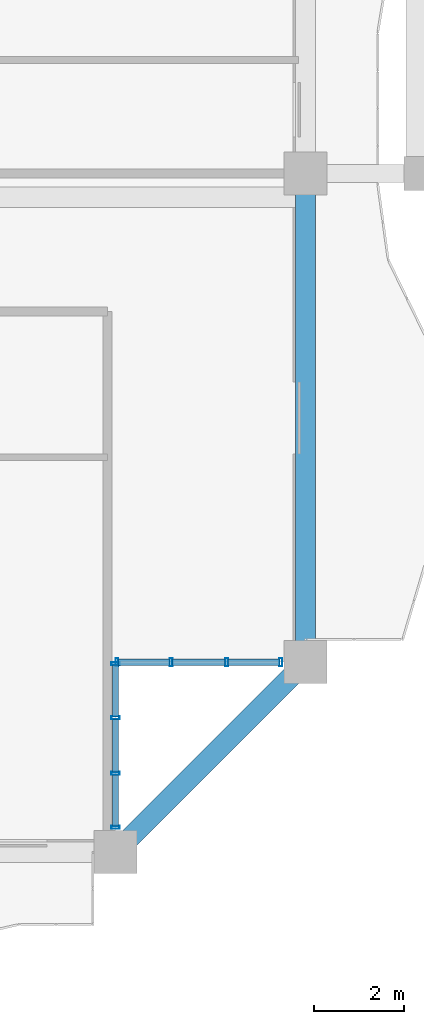
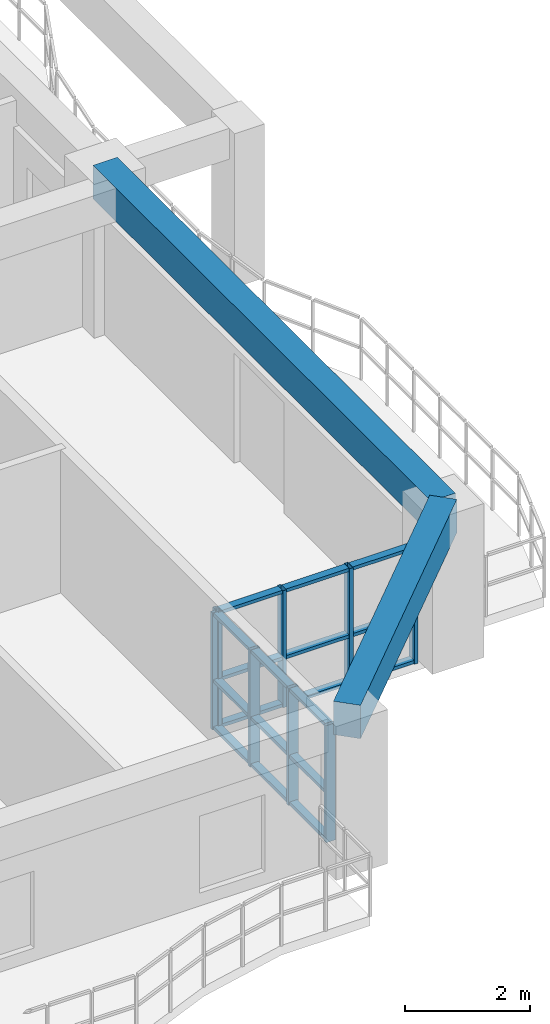
# One storey, part 4 of 26: 26 members, 2 beams, 2 elements without a shape of their own.
"""IFC4 building model written with IfcOpenShell, lengths in metres."""

from ifc_helpers import new_model, si_unit, direction, frame, origin, origin_2d, place, context, subcontext, project, spatial, rectangle, hollow_rectangle, extrude, source, transform, mapped, material, layer, layer_set, material_profile, profile_set, type_object, element, aggregate, save


model = new_model("IFC4")

# Units and contexts
model_context = context("Model", 3, precision=1e-05, world=origin(), true_north=direction((0.0, 1.0)))
body_context = subcontext(model_context, "Body", "Model", "MODEL_VIEW")
ifc_project = project(units=[si_unit("LENGTHUNIT", "METRE"), si_unit("AREAUNIT", "SQUARE_METRE"), si_unit("VOLUMEUNIT", "CUBIC_METRE"), si_unit("PLANEANGLEUNIT", "RADIAN"), si_unit("MASSUNIT", "GRAM", prefix="KILO")], contexts=[model_context])

# Site, building, storey
site_placement = place(None, origin())
site = spatial("IfcSite", under=ifc_project, at=site_placement, CompositionType="ELEMENT")
building_placement = place(site_placement, origin())
building = spatial("IfcBuilding", under=site, at=building_placement, Name="Saelheon Loggia Tower", CompositionType="ELEMENT")
storey_placement = place(building_placement, frame((0.0, 0.0, 89.85009765625)))
storey = spatial("IfcBuildingStorey", under=building, at=storey_placement, Name="L28", CompositionType="ELEMENT", Elevation=89.85009765625)

# Beams
ifc_material_1 = material(Name="Concrete C40/50", Category="concrete")
ifc_material_profile_1 = material_profile(ifc_material_1, rectangle(XDim=0.449951171875, YDim=0.64990234375, at=origin_2d()), Name="RC-450x650")
ifc_profile_set_1 = profile_set([ifc_material_profile_1], Name="Concrete C40/50")
beam_type = type_object("IfcBeamType", Name="Beam_PerimTower_RC450x650", PredefinedType="BEAM", material=ifc_profile_set_1)
shared_shape_1 = source(origin(), body_context, "Body", "SweptSolid", [
    extrude(rectangle(XDim=0.449951171875, YDim=0.64990234375, at=origin_2d()), origin(), (0.0, 0.0, 1.0), 5.939697265625),
])
beam_1_placement = place(storey_placement, frame((59.800048828125, 3.0, 2.6748046875), z_axis=(0.707106781187, 0.707106781187, 0.0), x_axis=(-0.707106781187, 0.707106781187, 0.0)))
element("IfcBeam", 1, at=beam_1_placement, inside=storey, type_object=beam_type, Name="L28 Perimeter Frame Girder 04", PredefinedType="BEAM", context=body_context, shape_type="MappedRepresentation", body=[
    mapped(shared_shape_1, transform((0.0, 0.0, 0.0), scale=1.0)),
])
shared_shape_2 = source(origin(), body_context, "Body", "SweptSolid", [
    extrude(rectangle(XDim=0.449951171875, YDim=0.64990234375, at=origin_2d()), origin(), (0.0, 0.0, 1.0), 10.800048828125),
])
beam_2_placement = place(storey_placement, frame((64.0, 7.199951171875, 2.6748046875), z_axis=(0.0, 1.0, 0.0), x_axis=(-1.0, 0.0, 0.0)))
element("IfcBeam", 2, at=beam_2_placement, inside=storey, type_object=beam_type, Name="L28 Perimeter Frame Girder 05", PredefinedType="BEAM", context=body_context, shape_type="MappedRepresentation", body=[
    mapped(shared_shape_2, transform((0.0, 0.0, 0.0), scale=1.0)),
])

# Curtain wall, members
ifc_material_2 = material(Name="Thermal-Break Aluminium and Triple Low-E Glass", Category="aluminium")
ifc_layer = layer(ifc_material_2, 0.159912109375)
ifc_layer_set = layer_set([ifc_layer], Name="Thermal-Break Aluminium and Triple Low-E Glass")
curtain_wall_type = type_object("IfcCurtainWallType", Name="CW_TowerLoggiaLow", PredefinedType="NOTDEFINED", material=ifc_layer_set)
curtain_wall_1_placement = place(storey_placement, origin())
curtain_wall_1 = element("IfcCurtainWall", 3, at=curtain_wall_1_placement, inside=storey, type_object=curtain_wall_type, Name="L28 Corner Notch Glazing SE1", PredefinedType="NOTDEFINED")
ifc_material_3 = material(Name="Anodised Aluminium 6063-T6", Category="aluminium")
ifc_material_profile_2 = material_profile(ifc_material_3, hollow_rectangle(XDim=0.06494140625, YDim=0.179931640625, WallThickness=0.00390625, at=origin_2d()), Name="RHS-180x65x4")
ifc_profile_set_2 = profile_set([ifc_material_profile_2], Name="Anodised Aluminium 6063-T6")
member_type_1 = type_object("IfcMemberType", Name="CW_TowerLoggiaLow_Mullion", PredefinedType="MULLION", material=ifc_profile_set_2)
shared_shape_3 = source(origin(), body_context, "Body", "SweptSolid", [
    extrude(hollow_rectangle(XDim=0.06494140625, YDim=0.179931640625, WallThickness=0.00390625, at=origin_2d()), origin(), (0.0, 0.0, 1.0), 2.27978515625),
])
member_1_placement = place(storey_placement, frame((59.800048828125, 3.547607421875, 0.0), z_axis=(0.0, 0.0, 1.0), x_axis=(0.0, 1.0, 0.0)))
member_1 = element("IfcMember", 4, at=member_1_placement, type_object=member_type_1, Name="CW3 mullion 1", PredefinedType="MULLION", context=body_context, shape_type="MappedRepresentation", body=[
    mapped(shared_shape_3, transform((0.0, 0.0, 0.0), scale=1.0)),
])
member_2_placement = place(storey_placement, frame((59.800048828125, 4.743408203125, 0.0), z_axis=(0.0, 0.0, 1.0), x_axis=(0.0, 1.0, 0.0)))
member_2 = element("IfcMember", 5, at=member_2_placement, type_object=member_type_1, Name="CW3 mullion 2", PredefinedType="MULLION", context=body_context, shape_type="MappedRepresentation", body=[
    mapped(shared_shape_3, transform((0.0, 0.0, 0.0), scale=1.0)),
])
member_3_placement = place(storey_placement, frame((59.800048828125, 5.9716796875, 0.0), z_axis=(0.0, 0.0, 1.0), x_axis=(0.0, 1.0, 0.0)))
member_3 = element("IfcMember", 6, at=member_3_placement, type_object=member_type_1, Name="CW3 mullion 3", PredefinedType="MULLION", context=body_context, shape_type="MappedRepresentation", body=[
    mapped(shared_shape_3, transform((0.0, 0.0, 0.0), scale=1.0)),
])
member_4_placement = place(storey_placement, frame((59.800048828125, 7.16748046875, 0.0), z_axis=(0.0, 0.0, 1.0), x_axis=(0.0, 1.0, 0.0)))
member_4 = element("IfcMember", 7, at=member_4_placement, type_object=member_type_1, Name="CW3 mullion 4", PredefinedType="MULLION", context=body_context, shape_type="MappedRepresentation", body=[
    mapped(shared_shape_3, transform((0.0, 0.0, 0.0), scale=1.0)),
])

curtain_wall_2_placement = place(storey_placement, origin())
curtain_wall_2 = element("IfcCurtainWall", 8, at=curtain_wall_2_placement, inside=storey, type_object=curtain_wall_type, Name="L28 Corner Notch Glazing SE2", PredefinedType="NOTDEFINED")
member_5_placement = place(storey_placement, frame((59.83251953125, 7.199951171875, 0.0), z_axis=(0.0, 0.0, 1.0), x_axis=(1.0, 0.0, 0.0)))
member_5 = element("IfcMember", 9, at=member_5_placement, type_object=member_type_1, Name="CW3 mullion 1", PredefinedType="MULLION", context=body_context, shape_type="MappedRepresentation", body=[
    mapped(shared_shape_3, transform((0.0, 0.0, 0.0), scale=1.0)),
])
member_6_placement = place(storey_placement, frame((61.0283203125, 7.199951171875, 0.0), z_axis=(0.0, 0.0, 1.0), x_axis=(1.0, 0.0, 0.0)))
member_6 = element("IfcMember", 10, at=member_6_placement, type_object=member_type_1, Name="CW3 mullion 2", PredefinedType="MULLION", context=body_context, shape_type="MappedRepresentation", body=[
    mapped(shared_shape_3, transform((0.0, 0.0, 0.0), scale=1.0)),
])
member_7_placement = place(storey_placement, frame((62.256591796875, 7.199951171875, 0.0), z_axis=(0.0, 0.0, 1.0), x_axis=(1.0, 0.0, 0.0)))
member_7 = element("IfcMember", 11, at=member_7_placement, type_object=member_type_1, Name="CW3 mullion 3", PredefinedType="MULLION", context=body_context, shape_type="MappedRepresentation", body=[
    mapped(shared_shape_3, transform((0.0, 0.0, 0.0), scale=1.0)),
])
member_8_placement = place(storey_placement, frame((63.452392578125, 7.199951171875, 0.0), z_axis=(0.0, 0.0, 1.0), x_axis=(1.0, 0.0, 0.0)))
member_8 = element("IfcMember", 12, at=member_8_placement, type_object=member_type_1, Name="CW3 mullion 4", PredefinedType="MULLION", context=body_context, shape_type="MappedRepresentation", body=[
    mapped(shared_shape_3, transform((0.0, 0.0, 0.0), scale=1.0)),
])

# Member
ifc_material_profile_3 = material_profile(ifc_material_3, hollow_rectangle(XDim=0.06494140625, YDim=0.139892578125, WallThickness=0.00390625, at=origin_2d()), Name="RHS-140x65x4")
ifc_profile_set_3 = profile_set([ifc_material_profile_3], Name="Anodised Aluminium 6063-T6")
member_type_2 = type_object("IfcMemberType", Name="CW_TowerLoggiaLow_Transom", PredefinedType="USERDEFINED", material=ifc_profile_set_3)
shared_shape_4 = source(origin(), body_context, "Body", "SweptSolid", [
    extrude(hollow_rectangle(XDim=0.06494140625, YDim=0.139892578125, WallThickness=0.00390625, at=origin_2d()), origin(), (0.0, 0.0, 1.0), 1.130859375),
])
member_9_placement = place(storey_placement, frame((59.800048828125, 3.580078125, 0.032470703125), z_axis=(0.0, 1.0, 0.0), x_axis=(0.0, 0.0, 1.0)))
member_9 = element("IfcMember", 13, at=member_9_placement, type_object=member_type_2, Name="CW3 transom 1.1", ObjectType="TRANSOM", PredefinedType="USERDEFINED", context=body_context, shape_type="MappedRepresentation", body=[
    mapped(shared_shape_4, transform((0.0, 0.0, 0.0), scale=1.0)),
])

member_10_placement = place(storey_placement, frame((59.800048828125, 3.580078125, 0.949951171875), z_axis=(0.0, 1.0, 0.0), x_axis=(0.0, 0.0, 1.0)))
member_10 = element("IfcMember", 14, at=member_10_placement, type_object=member_type_2, Name="CW3 transom 1.2", ObjectType="TRANSOM", PredefinedType="USERDEFINED", context=body_context, shape_type="MappedRepresentation", body=[
    mapped(shared_shape_4, transform((0.0, 0.0, 0.0), scale=1.0)),
])

member_11_placement = place(storey_placement, frame((59.800048828125, 3.580078125, 2.247314453125), z_axis=(0.0, 1.0, 0.0), x_axis=(0.0, 0.0, 1.0)))
member_11 = element("IfcMember", 15, at=member_11_placement, type_object=member_type_2, Name="CW3 transom 1.3", ObjectType="TRANSOM", PredefinedType="USERDEFINED", context=body_context, shape_type="MappedRepresentation", body=[
    mapped(shared_shape_4, transform((0.0, 0.0, 0.0), scale=1.0)),
])

member_12_placement = place(storey_placement, frame((59.800048828125, 6.004150390625, 0.032470703125), z_axis=(0.0, 1.0, 0.0), x_axis=(0.0, 0.0, 1.0)))
member_12 = element("IfcMember", 16, at=member_12_placement, type_object=member_type_2, Name="CW3 transom 3.1", ObjectType="TRANSOM", PredefinedType="USERDEFINED", context=body_context, shape_type="MappedRepresentation", body=[
    mapped(shared_shape_4, transform((0.0, 0.0, 0.0), scale=1.0)),
])

member_13_placement = place(storey_placement, frame((59.800048828125, 6.004150390625, 0.949951171875), z_axis=(0.0, 1.0, 0.0), x_axis=(0.0, 0.0, 1.0)))
member_13 = element("IfcMember", 17, at=member_13_placement, type_object=member_type_2, Name="CW3 transom 3.2", ObjectType="TRANSOM", PredefinedType="USERDEFINED", context=body_context, shape_type="MappedRepresentation", body=[
    mapped(shared_shape_4, transform((0.0, 0.0, 0.0), scale=1.0)),
])

member_14_placement = place(storey_placement, frame((59.800048828125, 6.004150390625, 2.247314453125), z_axis=(0.0, 1.0, 0.0), x_axis=(0.0, 0.0, 1.0)))
member_14 = element("IfcMember", 18, at=member_14_placement, type_object=member_type_2, Name="CW3 transom 3.3", ObjectType="TRANSOM", PredefinedType="USERDEFINED", context=body_context, shape_type="MappedRepresentation", body=[
    mapped(shared_shape_4, transform((0.0, 0.0, 0.0), scale=1.0)),
])

member_15_placement = place(storey_placement, frame((59.864990234375, 7.199951171875, 0.032470703125), z_axis=(1.0, 0.0, 0.0), x_axis=(0.0, 0.0, 1.0)))
member_15 = element("IfcMember", 19, at=member_15_placement, type_object=member_type_2, Name="CW3 transom 1.1", ObjectType="TRANSOM", PredefinedType="USERDEFINED", context=body_context, shape_type="MappedRepresentation", body=[
    mapped(shared_shape_4, transform((0.0, 0.0, 0.0), scale=1.0)),
])

member_16_placement = place(storey_placement, frame((59.864990234375, 7.199951171875, 0.949951171875), z_axis=(1.0, 0.0, 0.0), x_axis=(0.0, 0.0, 1.0)))
member_16 = element("IfcMember", 20, at=member_16_placement, type_object=member_type_2, Name="CW3 transom 1.2", ObjectType="TRANSOM", PredefinedType="USERDEFINED", context=body_context, shape_type="MappedRepresentation", body=[
    mapped(shared_shape_4, transform((0.0, 0.0, 0.0), scale=1.0)),
])

member_17_placement = place(storey_placement, frame((59.864990234375, 7.199951171875, 2.247314453125), z_axis=(1.0, 0.0, 0.0), x_axis=(0.0, 0.0, 1.0)))
member_17 = element("IfcMember", 21, at=member_17_placement, type_object=member_type_2, Name="CW3 transom 1.3", ObjectType="TRANSOM", PredefinedType="USERDEFINED", context=body_context, shape_type="MappedRepresentation", body=[
    mapped(shared_shape_4, transform((0.0, 0.0, 0.0), scale=1.0)),
])

member_18_placement = place(storey_placement, frame((62.2890625, 7.199951171875, 0.032470703125), z_axis=(1.0, 0.0, 0.0), x_axis=(0.0, 0.0, 1.0)))
member_18 = element("IfcMember", 22, at=member_18_placement, type_object=member_type_2, Name="CW3 transom 3.1", ObjectType="TRANSOM", PredefinedType="USERDEFINED", context=body_context, shape_type="MappedRepresentation", body=[
    mapped(shared_shape_4, transform((0.0, 0.0, 0.0), scale=1.0)),
])

member_19_placement = place(storey_placement, frame((62.2890625, 7.199951171875, 0.949951171875), z_axis=(1.0, 0.0, 0.0), x_axis=(0.0, 0.0, 1.0)))
member_19 = element("IfcMember", 23, at=member_19_placement, type_object=member_type_2, Name="CW3 transom 3.2", ObjectType="TRANSOM", PredefinedType="USERDEFINED", context=body_context, shape_type="MappedRepresentation", body=[
    mapped(shared_shape_4, transform((0.0, 0.0, 0.0), scale=1.0)),
])

member_20_placement = place(storey_placement, frame((62.2890625, 7.199951171875, 2.247314453125), z_axis=(1.0, 0.0, 0.0), x_axis=(0.0, 0.0, 1.0)))
member_20 = element("IfcMember", 24, at=member_20_placement, type_object=member_type_2, Name="CW3 transom 3.3", ObjectType="TRANSOM", PredefinedType="USERDEFINED", context=body_context, shape_type="MappedRepresentation", body=[
    mapped(shared_shape_4, transform((0.0, 0.0, 0.0), scale=1.0)),
])

shared_shape_5 = source(origin(), body_context, "Body", "SweptSolid", [
    extrude(hollow_rectangle(XDim=0.06494140625, YDim=0.139892578125, WallThickness=0.00390625, at=origin_2d()), origin(), (0.0, 0.0, 1.0), 1.163330078125),
])
member_21_placement = place(storey_placement, frame((59.800048828125, 4.77587890625, 0.032470703125), z_axis=(0.0, 1.0, 0.0), x_axis=(0.0, 0.0, 1.0)))
member_21 = element("IfcMember", 25, at=member_21_placement, type_object=member_type_2, Name="CW3 transom 2.1", ObjectType="TRANSOM", PredefinedType="USERDEFINED", context=body_context, shape_type="MappedRepresentation", body=[
    mapped(shared_shape_5, transform((0.0, 0.0, 0.0), scale=1.0)),
])

member_22_placement = place(storey_placement, frame((59.800048828125, 4.77587890625, 0.949951171875), z_axis=(0.0, 1.0, 0.0), x_axis=(0.0, 0.0, 1.0)))
member_22 = element("IfcMember", 26, at=member_22_placement, type_object=member_type_2, Name="CW3 transom 2.2", ObjectType="TRANSOM", PredefinedType="USERDEFINED", context=body_context, shape_type="MappedRepresentation", body=[
    mapped(shared_shape_5, transform((0.0, 0.0, 0.0), scale=1.0)),
])

member_23_placement = place(storey_placement, frame((59.800048828125, 4.77587890625, 2.247314453125), z_axis=(0.0, 1.0, 0.0), x_axis=(0.0, 0.0, 1.0)))
member_23 = element("IfcMember", 27, at=member_23_placement, type_object=member_type_2, Name="CW3 transom 2.3", ObjectType="TRANSOM", PredefinedType="USERDEFINED", context=body_context, shape_type="MappedRepresentation", body=[
    mapped(shared_shape_5, transform((0.0, 0.0, 0.0), scale=1.0)),
])

aggregate(curtain_wall_1, [member_1, member_2, member_3, member_4, member_9, member_10, member_11, member_21, member_22, member_23, member_12, member_13, member_14])

member_24_placement = place(storey_placement, frame((61.060791015625, 7.199951171875, 0.032470703125), z_axis=(1.0, 0.0, 0.0), x_axis=(0.0, 0.0, 1.0)))
member_24 = element("IfcMember", 28, at=member_24_placement, type_object=member_type_2, Name="CW3 transom 2.1", ObjectType="TRANSOM", PredefinedType="USERDEFINED", context=body_context, shape_type="MappedRepresentation", body=[
    mapped(shared_shape_5, transform((0.0, 0.0, 0.0), scale=1.0)),
])

member_25_placement = place(storey_placement, frame((61.060791015625, 7.199951171875, 0.949951171875), z_axis=(1.0, 0.0, 0.0), x_axis=(0.0, 0.0, 1.0)))
member_25 = element("IfcMember", 29, at=member_25_placement, type_object=member_type_2, Name="CW3 transom 2.2", ObjectType="TRANSOM", PredefinedType="USERDEFINED", context=body_context, shape_type="MappedRepresentation", body=[
    mapped(shared_shape_5, transform((0.0, 0.0, 0.0), scale=1.0)),
])

member_26_placement = place(storey_placement, frame((61.060791015625, 7.199951171875, 2.247314453125), z_axis=(1.0, 0.0, 0.0), x_axis=(0.0, 0.0, 1.0)))
member_26 = element("IfcMember", 30, at=member_26_placement, type_object=member_type_2, Name="CW3 transom 2.3", ObjectType="TRANSOM", PredefinedType="USERDEFINED", context=body_context, shape_type="MappedRepresentation", body=[
    mapped(shared_shape_5, transform((0.0, 0.0, 0.0), scale=1.0)),
])

aggregate(curtain_wall_2, [member_5, member_6, member_7, member_8, member_15, member_16, member_17, member_24, member_25, member_26, member_18, member_19, member_20])

save(model, "model.ifc")
